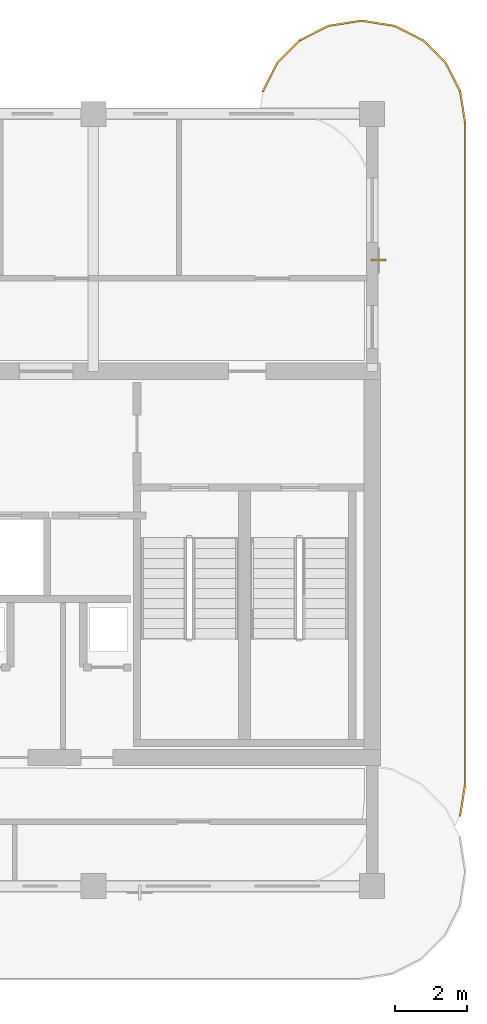
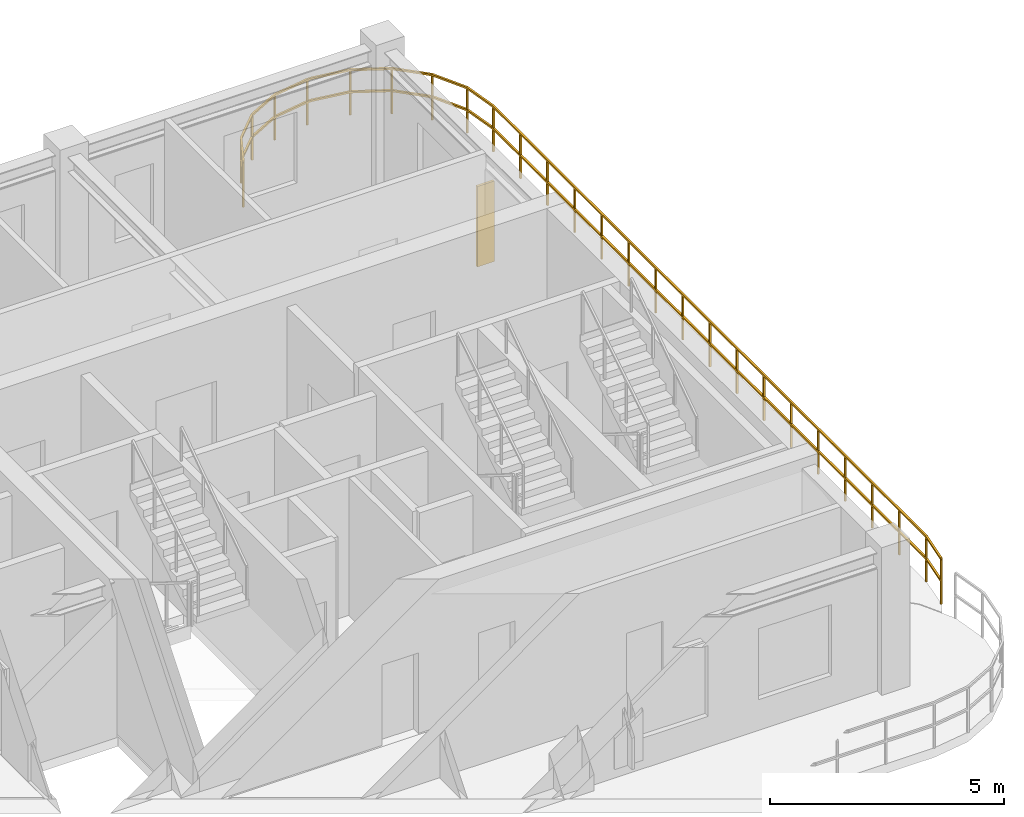
# One storey, part 8 of 8: 1 railing, 1 shading device.
"""IFC4 building model written with IfcOpenShell, lengths in metres."""

from ifc_helpers import new_model, si_unit, derived_unit, direction, frame, origin, origin_2d, place, context, subcontext, project, spatial, rectangle, extrude, source, transform, mapped, material, layer, layer_set, type_object, type_shapes, element, save


model = new_model("IFC4")

# Units and contexts
model_context = context("Model", 3, precision=1e-05, world=origin(), true_north=direction((0.0, 1.0)))
body_context = subcontext(model_context, "Body", "Model", "MODEL_VIEW")
ifc_project = project(units=[si_unit("LENGTHUNIT", "METRE"), si_unit("AREAUNIT", "SQUARE_METRE"), si_unit("VOLUMEUNIT", "CUBIC_METRE"), si_unit("PLANEANGLEUNIT", "RADIAN"), si_unit("MASSUNIT", "GRAM", prefix="KILO"), si_unit("THERMODYNAMICTEMPERATUREUNIT", "KELVIN"), si_unit("POWERUNIT", "WATT"), derived_unit("THERMALTRANSMITTANCEUNIT", [(si_unit("POWERUNIT", "WATT"), 1), (si_unit("AREAUNIT", "SQUARE_METRE"), -1), (si_unit("THERMODYNAMICTEMPERATUREUNIT", "KELVIN"), -1)])], contexts=[model_context])

# Site, building, storey
site_placement = place(None, origin())
site = spatial("IfcSite", under=ifc_project, at=site_placement, CompositionType="ELEMENT")
building_placement = place(site_placement, origin())
building = spatial("IfcBuilding", under=site, at=building_placement, Name="Zahravan Archway Hotel and Residences", CompositionType="ELEMENT")
storey_placement = place(building_placement, frame((0.0, 0.0, 286.60009765625)))
storey = spatial("IfcBuildingStorey", under=building, at=storey_placement, Name="L72", CompositionType="ELEMENT", Elevation=286.60009765625)

# Railing
ifc_material_1 = material(Name="Bronze & Laminated Glass Balustrade", Category="glass")
railing_type = type_object("IfcRailingType", Name="RL-BAL-1200", PredefinedType="BALUSTRADE", material=ifc_material_1)
railing_placement = place(storey_placement, frame((46.739501953125, 22.230712890625, 0.0)))
element("IfcRailing", 1, at=railing_placement, inside=storey, type_object=railing_type, Name="L72 Balustrade RL-SLB-BAL-L72-EA-1", PredefinedType="BALUSTRADE", context=body_context, shape_type="SweptSolid", body=[
    extrude(rectangle(XDim=0.048095703125, YDim=0.048095703125, at=origin_2d()), frame((0.0, 0.0, 1.17578125), z_axis=(0.453991409995, 0.891006060389, 0.0), x_axis=(-0.891006060389, 0.453991409995, 0.0)), (0.0, 0.0, 1.0), 0.8916015625),
    extrude(rectangle(XDim=0.048095703125, YDim=0.048095703125, at=origin_2d()), frame((0.0, 0.0, 0.60009765625), z_axis=(0.453991409995, 0.891006060389, 0.0), x_axis=(-0.891006060389, 0.453991409995, 0.0)), (0.0, 0.0, 1.0), 0.8916015625),
    extrude(rectangle(XDim=0.048095703125, YDim=0.048095703125, at=origin_2d()), frame((0.40478515625, 0.79443359375, 1.17578125), z_axis=(0.707106781187, 0.707106781187, 0.0), x_axis=(-0.707106781187, 0.707106781187, 0.0)), (0.0, 0.0, 1.0), 0.891845703125),
    extrude(rectangle(XDim=0.048095703125, YDim=0.048095703125, at=origin_2d()), frame((0.40478515625, 0.79443359375, 0.60009765625), z_axis=(0.707106781187, 0.707106781187, 0.0), x_axis=(-0.707106781187, 0.707106781187, 0.0)), (0.0, 0.0, 1.0), 0.891845703125),
    extrude(rectangle(XDim=0.048095703125, YDim=0.048095703125, at=origin_2d()), frame((1.035400390625, 1.425048828125, 1.17578125), z_axis=(0.891006060389, 0.453991409995, 0.0), x_axis=(-0.453991409995, 0.891006060389, 0.0)), (0.0, 0.0, 1.0), 0.8916015625),
    extrude(rectangle(XDim=0.048095703125, YDim=0.048095703125, at=origin_2d()), frame((1.035400390625, 1.425048828125, 0.60009765625), z_axis=(0.891006060389, 0.453991409995, 0.0), x_axis=(-0.453991409995, 0.891006060389, 0.0)), (0.0, 0.0, 1.0), 0.8916015625),
    extrude(rectangle(XDim=0.048095703125, YDim=0.048095703125, at=origin_2d()), frame((1.829833984375, 1.829833984375, 1.17578125), z_axis=(0.987700720307, 0.156356282588, 0.0), x_axis=(-0.156356282588, 0.987700720307, 0.0)), (0.0, 0.0, 1.0), 0.8916015625),
    extrude(rectangle(XDim=0.048095703125, YDim=0.048095703125, at=origin_2d()), frame((1.829833984375, 1.829833984375, 0.60009765625), z_axis=(0.987700720307, 0.156356282588, 0.0), x_axis=(-0.156356282588, 0.987700720307, 0.0)), (0.0, 0.0, 1.0), 0.8916015625),
    extrude(rectangle(XDim=0.048095703125, YDim=0.048095703125, at=origin_2d()), frame((2.71044921875, 1.96923828125, 1.17578125), z_axis=(1.0, 0.0, 0.0), x_axis=(0.0, 1.0, 0.0)), (0.0, 0.0, 1.0), 0.10009765625),
    extrude(rectangle(XDim=0.048095703125, YDim=0.048095703125, at=origin_2d()), frame((2.71044921875, 1.96923828125, 0.60009765625), z_axis=(1.0, 0.0, 0.0), x_axis=(0.0, 1.0, 0.0)), (0.0, 0.0, 1.0), 0.10009765625),
    extrude(rectangle(XDim=0.048095703125, YDim=0.048095703125, at=origin_2d()), frame((2.810546875, 1.96923828125, 1.17578125), z_axis=(0.987700720307, -0.156356282588, 0.0), x_axis=(0.156356282588, 0.987700720307, 0.0)), (0.0, 0.0, 1.0), 0.8916015625),
    extrude(rectangle(XDim=0.048095703125, YDim=0.048095703125, at=origin_2d()), frame((2.810546875, 1.96923828125, 0.60009765625), z_axis=(0.987700720307, -0.156356282588, 0.0), x_axis=(0.156356282588, 0.987700720307, 0.0)), (0.0, 0.0, 1.0), 0.8916015625),
    extrude(rectangle(XDim=0.048095703125, YDim=0.048095703125, at=origin_2d()), frame((3.691162109375, 1.829833984375, 1.17578125), z_axis=(0.891006060389, -0.453991409995, 0.0), x_axis=(0.453991409995, 0.891006060389, 0.0)), (0.0, 0.0, 1.0), 0.8916015625),
    extrude(rectangle(XDim=0.048095703125, YDim=0.048095703125, at=origin_2d()), frame((3.691162109375, 1.829833984375, 0.60009765625), z_axis=(0.891006060389, -0.453991409995, 0.0), x_axis=(0.453991409995, 0.891006060389, 0.0)), (0.0, 0.0, 1.0), 0.8916015625),
    extrude(rectangle(XDim=0.048095703125, YDim=0.048095703125, at=origin_2d()), frame((4.485595703125, 1.425048828125, 1.17578125), z_axis=(0.707106781187, -0.707106781187, 0.0), x_axis=(0.707106781187, 0.707106781187, 0.0)), (0.0, 0.0, 1.0), 0.891845703125),
    extrude(rectangle(XDim=0.048095703125, YDim=0.048095703125, at=origin_2d()), frame((4.485595703125, 1.425048828125, 0.60009765625), z_axis=(0.707106781187, -0.707106781187, 0.0), x_axis=(0.707106781187, 0.707106781187, 0.0)), (0.0, 0.0, 1.0), 0.891845703125),
    extrude(rectangle(XDim=0.048095703125, YDim=0.048095703125, at=origin_2d()), frame((5.1162109375, 0.79443359375, 1.17578125), z_axis=(0.453991409995, -0.891006060389, 0.0), x_axis=(0.891006060389, 0.453991409995, 0.0)), (0.0, 0.0, 1.0), 0.8916015625),
    extrude(rectangle(XDim=0.048095703125, YDim=0.048095703125, at=origin_2d()), frame((5.1162109375, 0.79443359375, 0.60009765625), z_axis=(0.453991409995, -0.891006060389, 0.0), x_axis=(0.891006060389, 0.453991409995, 0.0)), (0.0, 0.0, 1.0), 0.8916015625),
    extrude(rectangle(XDim=0.048095703125, YDim=0.048095703125, at=origin_2d()), frame((5.52099609375, 0.0, 1.17578125), z_axis=(0.156356282588, -0.987700720307, 0.0), x_axis=(0.987700720307, 0.156356282588, 0.0)), (0.0, 0.0, 1.0), 0.8916015625),
    extrude(rectangle(XDim=0.048095703125, YDim=0.048095703125, at=origin_2d()), frame((5.52099609375, 0.0, 0.60009765625), z_axis=(0.156356282588, -0.987700720307, 0.0), x_axis=(0.987700720307, 0.156356282588, 0.0)), (0.0, 0.0, 1.0), 0.8916015625),
    extrude(rectangle(XDim=0.048095703125, YDim=0.048095703125, at=origin_2d()), frame((5.660400390625, -0.880615234375, 1.17578125), z_axis=(0.0, -1.0, 0.0), x_axis=(1.0, 0.0, 0.0)), (0.0, 0.0, 1.0), 18.5),
    extrude(rectangle(XDim=0.048095703125, YDim=0.048095703125, at=origin_2d()), frame((5.660400390625, -0.880615234375, 0.60009765625), z_axis=(0.0, -1.0, 0.0), x_axis=(1.0, 0.0, 0.0)), (0.0, 0.0, 1.0), 18.5),
    extrude(rectangle(XDim=0.048095703125, YDim=0.048095703125, at=origin_2d()), frame((5.660400390625, -19.380615234375, 1.17578125), z_axis=(-0.156314005608, -0.987707411965, 0.0), x_axis=(0.987707411965, -0.156314005608, 0.0)), (0.0, 0.0, 1.0), 0.891845703125),
    extrude(rectangle(XDim=0.048095703125, YDim=0.048095703125, at=origin_2d()), frame((5.660400390625, -19.380615234375, 0.60009765625), z_axis=(-0.156314005608, -0.987707411965, 0.0), x_axis=(0.987707411965, -0.156314005608, 0.0)), (0.0, 0.0, 1.0), 0.891845703125),
    extrude(rectangle(XDim=0.0419921875, YDim=0.0419921875, at=origin_2d()), origin(), (0.0, 0.0, 1.0), 1.15185546875),
    extrude(rectangle(XDim=0.0419921875, YDim=0.0419921875, at=origin_2d()), frame((0.40478515625, 0.79443359375, 0.0)), (0.0, 0.0, 1.0), 1.15185546875),
    extrude(rectangle(XDim=0.0419921875, YDim=0.0419921875, at=origin_2d()), frame((1.035400390625, 1.425048828125, 0.0)), (0.0, 0.0, 1.0), 1.15185546875),
    extrude(rectangle(XDim=0.0419921875, YDim=0.0419921875, at=origin_2d()), frame((1.829833984375, 1.829833984375, 0.0)), (0.0, 0.0, 1.0), 1.15185546875),
    extrude(rectangle(XDim=0.0419921875, YDim=0.0419921875, at=origin_2d()), frame((2.71044921875, 1.96923828125, 0.0)), (0.0, 0.0, 1.0), 1.15185546875),
    extrude(rectangle(XDim=0.0419921875, YDim=0.0419921875, at=origin_2d()), frame((3.691162109375, 1.829833984375, 0.0)), (0.0, 0.0, 1.0), 1.15185546875),
    extrude(rectangle(XDim=0.0419921875, YDim=0.0419921875, at=origin_2d()), frame((4.485595703125, 1.425048828125, 0.0)), (0.0, 0.0, 1.0), 1.15185546875),
    extrude(rectangle(XDim=0.0419921875, YDim=0.0419921875, at=origin_2d()), frame((5.1162109375, 0.79443359375, 0.0)), (0.0, 0.0, 1.0), 1.15185546875),
    extrude(rectangle(XDim=0.0419921875, YDim=0.0419921875, at=origin_2d()), frame((5.52099609375, 0.0, 0.0)), (0.0, 0.0, 1.0), 1.15185546875),
    extrude(rectangle(XDim=0.0419921875, YDim=0.0419921875, at=origin_2d()), frame((5.660400390625, -0.880615234375, 0.0)), (0.0, 0.0, 1.0), 1.15185546875),
    extrude(rectangle(XDim=0.0419921875, YDim=0.0419921875, at=origin_2d()), frame((5.660400390625, -2.036865234375, 0.0)), (0.0, 0.0, 1.0), 1.15185546875),
    extrude(rectangle(XDim=0.0419921875, YDim=0.0419921875, at=origin_2d()), frame((5.660400390625, -3.193115234375, 0.0)), (0.0, 0.0, 1.0), 1.15185546875),
    extrude(rectangle(XDim=0.0419921875, YDim=0.0419921875, at=origin_2d()), frame((5.660400390625, -4.349365234375, 0.0)), (0.0, 0.0, 1.0), 1.15185546875),
    extrude(rectangle(XDim=0.0419921875, YDim=0.0419921875, at=origin_2d()), frame((5.660400390625, -5.505615234375, 0.0)), (0.0, 0.0, 1.0), 1.15185546875),
    extrude(rectangle(XDim=0.0419921875, YDim=0.0419921875, at=origin_2d()), frame((5.660400390625, -6.661865234375, 0.0)), (0.0, 0.0, 1.0), 1.15185546875),
    extrude(rectangle(XDim=0.0419921875, YDim=0.0419921875, at=origin_2d()), frame((5.660400390625, -7.818115234375, 0.0)), (0.0, 0.0, 1.0), 1.15185546875),
    extrude(rectangle(XDim=0.0419921875, YDim=0.0419921875, at=origin_2d()), frame((5.660400390625, -8.974365234375, 0.0)), (0.0, 0.0, 1.0), 1.15185546875),
    extrude(rectangle(XDim=0.0419921875, YDim=0.0419921875, at=origin_2d()), frame((5.660400390625, -10.130615234375, 0.0)), (0.0, 0.0, 1.0), 1.15185546875),
    extrude(rectangle(XDim=0.0419921875, YDim=0.0419921875, at=origin_2d()), frame((5.660400390625, -11.286865234375, 0.0)), (0.0, 0.0, 1.0), 1.15185546875),
    extrude(rectangle(XDim=0.0419921875, YDim=0.0419921875, at=origin_2d()), frame((5.660400390625, -12.443115234375, 0.0)), (0.0, 0.0, 1.0), 1.15185546875),
    extrude(rectangle(XDim=0.0419921875, YDim=0.0419921875, at=origin_2d()), frame((5.660400390625, -13.599365234375, 0.0)), (0.0, 0.0, 1.0), 1.15185546875),
    extrude(rectangle(XDim=0.0419921875, YDim=0.0419921875, at=origin_2d()), frame((5.660400390625, -14.755615234375, 0.0)), (0.0, 0.0, 1.0), 1.15185546875),
    extrude(rectangle(XDim=0.0419921875, YDim=0.0419921875, at=origin_2d()), frame((5.660400390625, -15.911865234375, 0.0)), (0.0, 0.0, 1.0), 1.15185546875),
    extrude(rectangle(XDim=0.0419921875, YDim=0.0419921875, at=origin_2d()), frame((5.660400390625, -17.068115234375, 0.0)), (0.0, 0.0, 1.0), 1.15185546875),
    extrude(rectangle(XDim=0.0419921875, YDim=0.0419921875, at=origin_2d()), frame((5.660400390625, -18.224365234375, 0.0)), (0.0, 0.0, 1.0), 1.15185546875),
    extrude(rectangle(XDim=0.0419921875, YDim=0.0419921875, at=origin_2d()), frame((5.660400390625, -19.380615234375, 0.0)), (0.0, 0.0, 1.0), 1.15185546875),
    extrude(rectangle(XDim=0.0419921875, YDim=0.0419921875, at=origin_2d()), frame((5.52099609375, -20.261474609375, 0.0)), (0.0, 0.0, 1.0), 1.15185546875),
])

# Shading device
ifc_material_2 = material(Name="Terracotta & Bronze Solar Brise-Soleil", Category="masonry")
ifc_layer = layer(ifc_material_2, 0.06005859375, Name="Terracotta & Bronze Solar Brise-Soleil", Category="masonry")
ifc_layer_set = layer_set([ifc_layer], Name="Terracotta & Bronze Solar Brise-Soleil")
shading_device_type = type_object("IfcShadingDeviceType", Name="SHD-MASH-FIN", PredefinedType="JALOUSIE", material=ifc_layer_set)
shared_shape = source(origin(), body_context, "Body", "SweptSolid", [
    extrude(rectangle(XDim=0.06005859375, YDim=0.419921875, at=origin_2d()), origin(), (0.0, 0.0, 1.0), 2.10009765625),
])
type_shapes(shading_device_type, [shared_shape])
shading_device_placement = place(storey_placement, frame((49.97802734375, 17.509033203125, 0.249755859375), z_axis=(0.0, 0.0, 1.0), x_axis=(0.0, 1.0, 0.0)))
element("IfcShadingDevice", 2, at=shading_device_placement, inside=storey, type_object=shading_device_type, Name="L72 Solar Mashrabiya Fin 05", PredefinedType="JALOUSIE", context=body_context, shape_type="MappedRepresentation", body=[
    mapped(shared_shape, transform((0.0, 0.0, 0.0), scale=1.0)),
])

save(model, "model.ifc")
